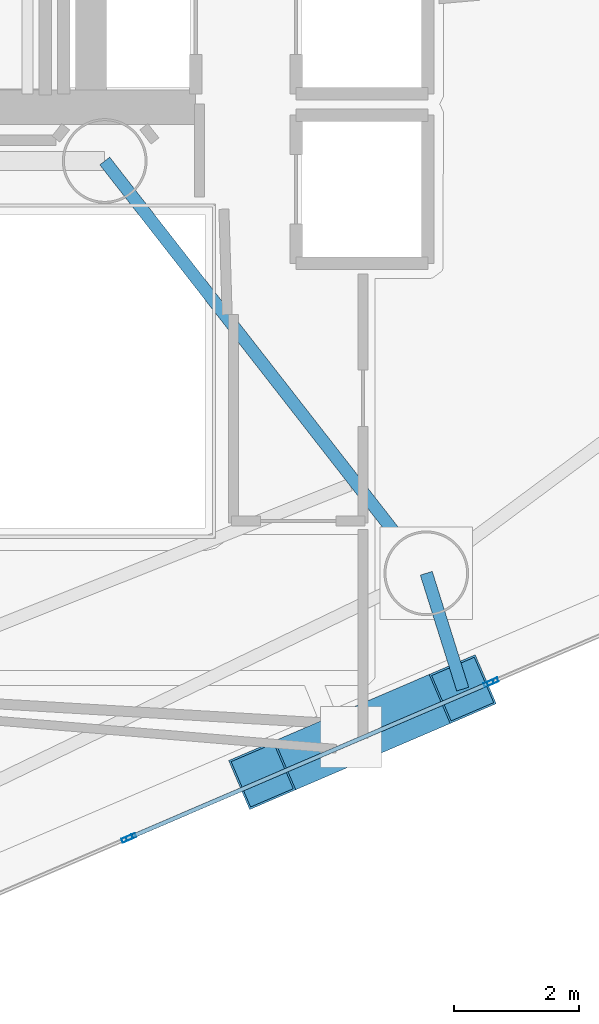
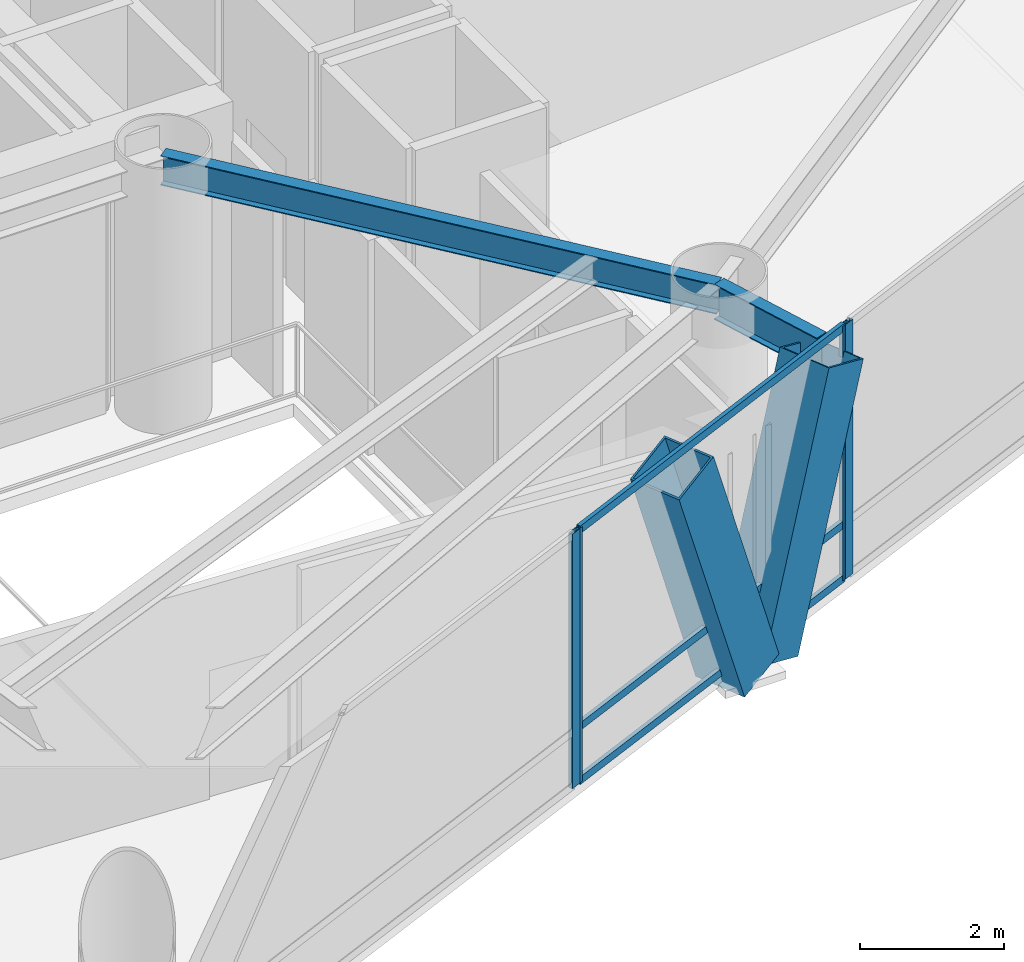
# One storey, part 4 of 21: 9 members, 2 beams, 3 elements without a shape of their own.
"""IFC4 building model written with IfcOpenShell, lengths in metres."""

from ifc_helpers import new_model, si_unit, direction, frame, origin, origin_2d, place, context, subcontext, project, spatial, hollow_rectangle, i_section, extrude, material, layer, layer_set, material_profile, profile_set, type_object, element, aggregate, save


model = new_model("IFC4")

# Units and contexts
model_context = context("Model", 3, precision=1e-05, world=origin(), true_north=direction((0.0, 1.0)))
body_context = subcontext(model_context, "Body", "Model", "MODEL_VIEW")
ifc_project = project(units=[si_unit("LENGTHUNIT", "METRE"), si_unit("AREAUNIT", "SQUARE_METRE"), si_unit("VOLUMEUNIT", "CUBIC_METRE"), si_unit("PLANEANGLEUNIT", "RADIAN"), si_unit("MASSUNIT", "GRAM", prefix="KILO")], contexts=[model_context])

# Site, building, storey
site_placement = place(None, origin())
site = spatial("IfcSite", under=ifc_project, at=site_placement, CompositionType="ELEMENT")
building_placement = place(site_placement, origin())
building = spatial("IfcBuilding", under=site, at=building_placement, Name="Qianvela Tower", CompositionType="ELEMENT")
storey_placement = place(building_placement, frame((0.0, 0.0, 143.10009765625)))
storey = spatial("IfcBuildingStorey", under=building, at=storey_placement, Name="L36", CompositionType="ELEMENT", Elevation=143.10009765625)

# Beams
ifc_material_1 = material(Name="Steel Q355B", Category="steel")
ifc_material_profile_1 = material_profile(ifc_material_1, i_section(OverallWidth=0.199951171875, OverallDepth=0.5, WebThickness=0.010009765625, FlangeThickness=0.01611328125, at=origin_2d()), Name="HN500x200x10x16")
ifc_profile_set_1 = profile_set([ifc_material_profile_1], Name="Steel Q355B")
beam_type_1 = type_object("IfcBeamType", Name="BM-HN500-GIRD", PredefinedType="BEAM", material=ifc_profile_set_1)
beam_1_placement = place(storey_placement, frame((38.39990234375, 23.85009765625, 4.06787109375), z_axis=(0.615000832816, -0.788526458424, 0.0), x_axis=(0.788526458424, 0.615000832816, 0.0)))
element("IfcBeam", 1, at=beam_1_placement, inside=storey, type_object=beam_type_1, Name="L36 Radial Primary Floor Girder 6", PredefinedType="BEAM", context=body_context, shape_type="SweptSolid", body=[
    extrude(i_section(OverallWidth=0.199951171875, OverallDepth=0.5, WebThickness=0.010009765625, FlangeThickness=0.01611328125, at=origin_2d()), origin(), (0.0, 0.0, 1.0), 8.333251953125),
])
ifc_material_2 = material(Name="Steel Q355B", Category="steel")
ifc_material_profile_2 = material_profile(ifc_material_2, i_section(OverallWidth=0.199951171875, OverallDepth=0.60009765625, WebThickness=0.010986328125, FlangeThickness=0.01708984375, at=origin_2d()), Name="HN600x200x11x17")
ifc_profile_set_2 = profile_set([ifc_material_profile_2], Name="Steel Q355B")
beam_type_2 = type_object("IfcBeamType", Name="BM-HN600-GIRD", PredefinedType="BEAM", material=ifc_profile_set_2)
beam_2_placement = place(storey_placement, frame((43.52490234375, 17.279052734375, 4.017822265625), z_axis=(0.299947949617, -0.953955568945, 0.0), x_axis=(0.953955568945, 0.299947949617, 0.0)))
element("IfcBeam", 2, at=beam_2_placement, inside=storey, type_object=beam_type_2, Name="L36 Mega-Brace Column Tie Bracket F3-2", PredefinedType="BEAM", context=body_context, shape_type="SweptSolid", body=[
    extrude(i_section(OverallWidth=0.199951171875, OverallDepth=0.60009765625, WebThickness=0.010986328125, FlangeThickness=0.01708984375, at=origin_2d()), origin(), (0.0, 0.0, 1.0), 1.935546875),
])

# Curtain wall, members
ifc_material_3 = material(Name="Anodised Architectural Aluminium and Insulated Spandrel Panel", Category="aluminium")
ifc_layer_1 = layer(ifc_material_3, 0.179931640625)
ifc_layer_set_1 = layer_set([ifc_layer_1], Name="Anodised Architectural Aluminium and Insulated Spandrel Panel")
curtain_wall_type_1 = type_object("IfcCurtainWallType", Name="CW-BRACEBAY", PredefinedType="USERDEFINED", material=ifc_layer_set_1)
curtain_wall_1_placement = place(storey_placement, origin())
curtain_wall_1 = element("IfcCurtainWall", 3, at=curtain_wall_1_placement, inside=storey, type_object=curtain_wall_type_1, Name="L36 CW-BRACEBAY Curtain Wall 06B", ObjectType="CURTAIN_WALL_SYSTEM", PredefinedType="USERDEFINED")
ifc_material_4 = material(Name="Anodised Architectural Aluminium 6063-T6", Category="aluminium")
ifc_material_profile_3 = material_profile(ifc_material_4, hollow_rectangle(XDim=0.06494140625, YDim=0.159912109375, WallThickness=0.0048828125, at=origin_2d()), Name="ALU-MULL-65x160")
ifc_profile_set_3 = profile_set([ifc_material_profile_3], Name="Anodised Architectural Aluminium 6063-T6")
member_type_1 = type_object("IfcMemberType", Name="CW-BRACEBAY-MULL", PredefinedType="MULLION", material=ifc_profile_set_3)
member_1_placement = place(storey_placement, frame((38.819580078125, 13.076416015625, 0.0), z_axis=(0.0, 0.0, 1.0), x_axis=(-0.394477433674, 0.918905628627, 0.0)))
member_1 = element("IfcMember", 4, at=member_1_placement, type_object=member_type_1, Name="CW-9 mullion 1", PredefinedType="MULLION", context=body_context, shape_type="SweptSolid", body=[
    extrude(hollow_rectangle(XDim=0.06494140625, YDim=0.159912109375, WallThickness=0.0048828125, at=origin_2d()), origin(), (0.0, 0.0, 1.0), 4.31982421875),
])
member_2_placement = place(storey_placement, frame((44.521484375, 15.524169921875, 0.0), z_axis=(0.0, 0.0, 1.0), x_axis=(-0.394477433674, 0.918905628627, 0.0)))
member_2 = element("IfcMember", 5, at=member_2_placement, type_object=member_type_1, Name="CW-9 mullion 2", PredefinedType="MULLION", context=body_context, shape_type="SweptSolid", body=[
    extrude(hollow_rectangle(XDim=0.06494140625, YDim=0.159912109375, WallThickness=0.0048828125, at=origin_2d()), origin(), (0.0, 0.0, 1.0), 4.31982421875),
])
ifc_material_5 = material(Name="Anodised Architectural Aluminium 6063-T6", Category="aluminium")
ifc_material_profile_4 = material_profile(ifc_material_5, hollow_rectangle(XDim=0.06494140625, YDim=0.1298828125, WallThickness=0.00439453125, at=origin_2d()), Name="ALU-TRAN-65x130")
ifc_profile_set_4 = profile_set([ifc_material_profile_4], Name="Anodised Architectural Aluminium 6063-T6")
member_type_2 = type_object("IfcMemberType", Name="CW-BRACEBAY-TRAN", PredefinedType="USERDEFINED", material=ifc_profile_set_4)
member_3_placement = place(storey_placement, frame((38.849609375, 13.08935546875, 0.032470703125), z_axis=(0.918904228719, 0.394480694639, 0.0), x_axis=(-0.394480694639, 0.918904228719, 0.0)))
member_3 = element("IfcMember", 6, at=member_3_placement, type_object=member_type_2, Name="CW-9 transom 1.1", ObjectType="TRANSOM", PredefinedType="USERDEFINED", context=body_context, shape_type="SweptSolid", body=[
    extrude(hollow_rectangle(XDim=0.06494140625, YDim=0.1298828125, WallThickness=0.00439453125, at=origin_2d()), origin(), (0.0, 0.0, 1.0), 6.14013671875),
])
member_4_placement = place(storey_placement, frame((38.849609375, 13.08935546875, 0.949951171875), z_axis=(0.918904228719, 0.394480694639, 0.0), x_axis=(-0.394480694639, 0.918904228719, 0.0)))
member_4 = element("IfcMember", 7, at=member_4_placement, type_object=member_type_2, Name="CW-9 transom 1.2", ObjectType="TRANSOM", PredefinedType="USERDEFINED", context=body_context, shape_type="SweptSolid", body=[
    extrude(hollow_rectangle(XDim=0.06494140625, YDim=0.1298828125, WallThickness=0.00439453125, at=origin_2d()), origin(), (0.0, 0.0, 1.0), 6.14013671875),
])
member_5_placement = place(storey_placement, frame((38.849609375, 13.08935546875, 4.287353515625), z_axis=(0.918904228719, 0.394480694639, 0.0), x_axis=(-0.394480694639, 0.918904228719, 0.0)))
member_5 = element("IfcMember", 8, at=member_5_placement, type_object=member_type_2, Name="CW-9 transom 1.3", ObjectType="TRANSOM", PredefinedType="USERDEFINED", context=body_context, shape_type="SweptSolid", body=[
    extrude(hollow_rectangle(XDim=0.06494140625, YDim=0.1298828125, WallThickness=0.00439453125, at=origin_2d()), origin(), (0.0, 0.0, 1.0), 6.14013671875),
])
aggregate(curtain_wall_1, [member_1, member_2, member_3, member_4, member_5])

# Curtain wall, member
ifc_material_6 = material(Name="Anodised Architectural Aluminium and Low-E Glass", Category="aluminium")
ifc_layer_2 = layer(ifc_material_6, 0.18994140625)
ifc_layer_set_2 = layer_set([ifc_layer_2], Name="Anodised Architectural Aluminium and Low-E Glass")
curtain_wall_type_2 = type_object("IfcCurtainWallType", Name="CW-SKYLOBBY", PredefinedType="USERDEFINED", material=ifc_layer_set_2)
curtain_wall_2_placement = place(storey_placement, origin())
curtain_wall_2 = element("IfcCurtainWall", 9, at=curtain_wall_2_placement, inside=storey, type_object=curtain_wall_type_2, Name="L36 CW-SKYLOBBY Curtain Wall 06A", ObjectType="CURTAIN_WALL_SYSTEM", PredefinedType="USERDEFINED")
ifc_material_7 = material(Name="Anodised Architectural Aluminium 6063-T6", Category="aluminium")
ifc_material_profile_5 = material_profile(ifc_material_7, hollow_rectangle(XDim=0.070068359375, YDim=0.179931640625, WallThickness=0.0048828125, at=origin_2d()), Name="ALU-MULL-70x180")
ifc_profile_set_5 = profile_set([ifc_material_profile_5], Name="Anodised Architectural Aluminium 6063-T6")
member_type_3 = type_object("IfcMemberType", Name="CW-SKYLOBBY-MULL", PredefinedType="MULLION", material=ifc_profile_set_5)
member_6_placement = place(storey_placement, frame((38.757568359375, 13.0498046875, 0.0), z_axis=(0.0, 0.0, 1.0), x_axis=(-0.39446919021, 0.918909167423, 0.0)))
member_6 = element("IfcMember", 10, at=member_6_placement, type_object=member_type_3, Name="CW-7 mullion 2", PredefinedType="MULLION", context=body_context, shape_type="SweptSolid", body=[
    extrude(hollow_rectangle(XDim=0.070068359375, YDim=0.179931640625, WallThickness=0.0048828125, at=origin_2d()), origin(), (0.0, 0.0, 1.0), 4.31982421875),
])
aggregate(curtain_wall_2, [member_6])

curtain_wall_3_placement = place(storey_placement, origin())
curtain_wall_3 = element("IfcCurtainWall", 11, at=curtain_wall_3_placement, inside=storey, type_object=curtain_wall_type_2, Name="L36 CW-SKYLOBBY Curtain Wall 06C", ObjectType="CURTAIN_WALL_SYSTEM", PredefinedType="USERDEFINED")
member_7_placement = place(storey_placement, frame((44.58349609375, 15.551025390625, 0.0), z_axis=(0.0, 0.0, 1.0), x_axis=(-0.394471376508, 0.918908228887, 0.0)))
member_7 = element("IfcMember", 12, at=member_7_placement, type_object=member_type_3, Name="CW-7 mullion 1", PredefinedType="MULLION", context=body_context, shape_type="SweptSolid", body=[
    extrude(hollow_rectangle(XDim=0.070068359375, YDim=0.179931640625, WallThickness=0.0048828125, at=origin_2d()), origin(), (0.0, 0.0, 1.0), 4.31982421875),
])
aggregate(curtain_wall_3, [member_7])

# Members
ifc_material_8 = material(Name="Steel Q420GJC", Category="steel")
ifc_material_profile_6 = material_profile(ifc_material_8, hollow_rectangle(XDim=0.85009765625, YDim=0.85009765625, WallThickness=0.031982421875, at=origin_2d()), Name="MBOX-850x850x32")
ifc_profile_set_6 = profile_set([ifc_material_profile_6], Name="Steel Q420GJC")
member_type_4 = type_object("IfcMemberType", Name="MBR-MBRACE-850", PredefinedType="BRACE", material=ifc_profile_set_6)
for number, where, z_axis, x_axis, name in (
    (13, (42.305419921875, 14.659912109375, -0.18017578125), (-0.312645219564, -0.134201743714, 0.940341883927), (0.394443008112, -0.918920406429, 0.0), "L36 Tier 6 Exterior Mega-Brace F3A"),
    (14, (42.709716796875, 14.83349609375, -0.18017578125), (0.312645219564, 0.134201743714, 0.940341883927), (-0.394443008112, 0.918920406429, 0.0), "L36 Tier 6 Exterior Mega-Brace F3B"),
):
    element("IfcMember", number, at=place(storey_placement, frame(where, z_axis=z_axis, x_axis=x_axis)), inside=storey, type_object=member_type_4, Name=name, PredefinedType="BRACE", context=body_context, shape_type="SweptSolid", body=[
        extrude(hollow_rectangle(XDim=0.85009765625, YDim=0.85009765625, WallThickness=0.031982421875, at=origin_2d()), origin(), (0.0, 0.0, 1.0), 4.46435546875),
    ])

save(model, "model.ifc")
